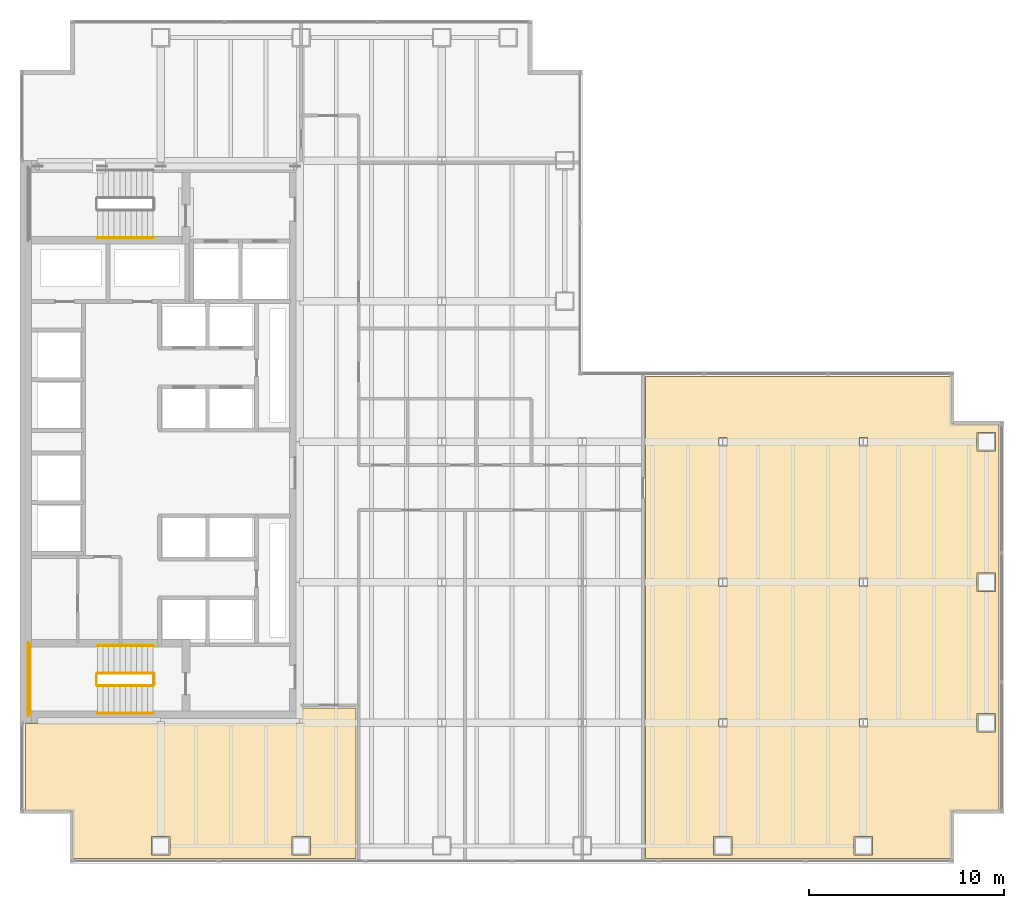
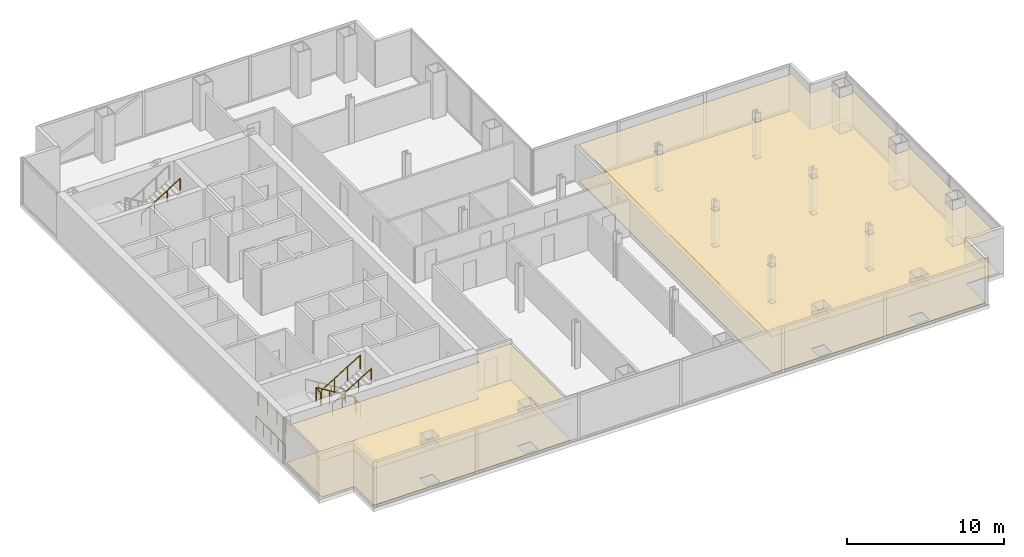
# One storey, part 23 of 24: 9 railings, 4 coverings.
"""IFC4 building model written with IfcOpenShell, lengths in metres."""

from ifc_helpers import new_model, si_unit, direction, frame, origin, origin_2d, place, context, subcontext, project, spatial, polyline, circle, outline, extrude, material, layer, layer_set, type_object, element, save


model = new_model("IFC4")

# Units and contexts
model_context = context("Model", 3, precision=1e-05, world=origin(), true_north=direction((0.0, 1.0)))
body_context = subcontext(model_context, "Body", "Model", "MODEL_VIEW")
ifc_project = project(units=[si_unit("LENGTHUNIT", "METRE"), si_unit("AREAUNIT", "SQUARE_METRE"), si_unit("VOLUMEUNIT", "CUBIC_METRE"), si_unit("PLANEANGLEUNIT", "RADIAN"), si_unit("MASSUNIT", "GRAM", prefix="KILO")], contexts=[model_context])

# Site, building, storey
site_placement = place(None, origin())
site = spatial("IfcSite", under=ifc_project, at=site_placement, CompositionType="ELEMENT")
building_placement = place(site_placement, origin())
building = spatial("IfcBuilding", under=site, at=building_placement, Name="Cobrela Telecom Tower", CompositionType="ELEMENT")
storey_placement = place(building_placement, frame((0.0, 0.0, 77.35009765625)))
storey = spatial("IfcBuildingStorey", under=building, at=storey_placement, Name="L19", CompositionType="ELEMENT", Elevation=77.35009765625)

# Coverings
ifc_material_1 = material(Name="Mineral Fibre Acoustic Ceiling Tile")
ifc_layer_1 = layer(ifc_material_1, 0.02490234375)
ifc_layer_set_1 = layer_set([ifc_layer_1], Name="Mineral Fibre Acoustic Ceiling Tile")
covering_type_1 = type_object("IfcCoveringType", Name="COV-CEIL-ACT", PredefinedType="CEILING", material=ifc_layer_set_1)
covering_1_placement = place(storey_placement, frame((0.0, 0.0, 2.849853515625)))
element("IfcCovering", 1, at=covering_1_placement, inside=storey, type_object=covering_type_1, Name="L19 Systems Engineering Studio 9 Suspended Acoustic Ceiling", PredefinedType="CEILING", context=body_context, shape_type="SweptSolid", body=[
    extrude(outline(polyline([(47.82275390625, 2.6875), (47.809326171875, 2.68408203125), (47.79638671875, 2.679443359375), (47.783935546875, 2.673583984375), (47.772216796875, 2.66650390625), (47.76123046875, 2.658203125), (47.7509765625, 2.64892578125), (47.74169921875, 2.638916015625), (47.733642578125, 2.6279296875), (47.7265625, 2.615966796875), (47.720703125, 2.603515625), (47.716064453125, 2.590576171875), (47.712646484375, 2.577392578125), (47.710693359375, 2.563720703125), (47.7099609375, 2.551025390625), (47.7099609375, 0.260009765625), (32.0400390625, 0.260009765625), (32.0400390625, 24.93994140625), (47.7099609375, 24.93994140625), (47.7099609375, 22.64892578125), (47.710693359375, 22.63623046875), (47.712646484375, 22.622802734375), (47.716064453125, 22.609375), (47.720703125, 22.596435546875), (47.7265625, 22.583984375), (47.733642578125, 22.572021484375), (47.74169921875, 22.561279296875), (47.7509765625, 22.551025390625), (47.76123046875, 22.541748046875), (47.772216796875, 22.53369140625), (47.783935546875, 22.526611328125), (47.79638671875, 22.5205078125), (47.809326171875, 22.51611328125), (47.82275390625, 22.5126953125), (47.836181640625, 22.510498046875), (47.84912109375, 22.510009765625), (50.139892578125, 22.510009765625), (50.139892578125, 2.68994140625), (47.84912109375, 2.68994140625), (47.836181640625, 2.689453125), (47.82275390625, 2.6875)]), holes=[polyline([(36.47509765625, 0.425048828125), (36.47509765625, 1.375), (35.52490234375, 1.375), (35.52490234375, 0.425048828125), (36.47509765625, 0.425048828125)]), polyline([(43.675048828125, 0.425048828125), (43.675048828125, 1.375), (42.72509765625, 1.375), (42.72509765625, 0.425048828125), (43.675048828125, 0.425048828125)]), polyline([(36.20458984375, 6.988037109375), (36.20458984375, 7.412109375), (35.79541015625, 7.412109375), (35.79541015625, 6.988037109375), (36.20458984375, 6.988037109375)]), polyline([(43.404541015625, 6.988037109375), (43.404541015625, 7.412109375), (42.99560546875, 7.412109375), (42.99560546875, 6.988037109375), (43.404541015625, 6.988037109375)]), polyline([(49.97509765625, 6.72509765625), (49.97509765625, 7.675048828125), (49.02490234375, 7.675048828125), (49.02490234375, 6.72509765625), (49.97509765625, 6.72509765625)]), polyline([(36.20458984375, 14.18798828125), (36.20458984375, 14.612060546875), (35.79541015625, 14.612060546875), (35.79541015625, 14.18798828125), (36.20458984375, 14.18798828125)]), polyline([(43.404541015625, 14.18798828125), (43.404541015625, 14.612060546875), (42.99560546875, 14.612060546875), (42.99560546875, 14.18798828125), (43.404541015625, 14.18798828125)]), polyline([(49.97509765625, 13.925048828125), (49.97509765625, 14.875), (49.02490234375, 14.875), (49.02490234375, 13.925048828125), (49.97509765625, 13.925048828125)]), polyline([(36.20458984375, 21.387939453125), (36.20458984375, 21.81201171875), (35.79541015625, 21.81201171875), (35.79541015625, 21.387939453125), (36.20458984375, 21.387939453125)]), polyline([(43.404541015625, 21.387939453125), (43.404541015625, 21.81201171875), (42.99560546875, 21.81201171875), (42.99560546875, 21.387939453125), (43.404541015625, 21.387939453125)]), polyline([(49.97509765625, 21.125), (49.97509765625, 22.074951171875), (49.02490234375, 22.074951171875), (49.02490234375, 21.125), (49.97509765625, 21.125)])]), origin(), (0.0, 0.0, 1.0), 0.025146484375),
])
covering_2_placement = place(storey_placement, frame((0.0, 0.0, 2.849853515625)))
element("IfcCovering", 2, at=covering_2_placement, inside=storey, type_object=covering_type_1, Name="L19 Staff Fitness Gym 5 Suspended Acoustic Ceiling", PredefinedType="CEILING", context=body_context, shape_type="SweptSolid", body=[
    extrude(outline(polyline([(2.68994140625, 2.551025390625), (2.689453125, 2.563720703125), (2.6875, 2.577392578125), (2.68408203125, 2.590576171875), (2.679443359375, 2.603515625), (2.673583984375, 2.615966796875), (2.66650390625, 2.6279296875), (2.658203125, 2.638916015625), (2.64892578125, 2.64892578125), (2.638916015625, 2.658203125), (2.6279296875, 2.66650390625), (2.615966796875, 2.673583984375), (2.603515625, 2.679443359375), (2.590576171875, 2.68408203125), (2.577392578125, 2.6875), (2.563720703125, 2.689453125), (2.551025390625, 2.68994140625), (0.2900390625, 2.68994140625), (0.2900390625, 7.159912109375), (14.43994140625, 7.159912109375), (14.43994140625, 7.9599609375), (17.2099609375, 7.9599609375), (17.2099609375, 0.260009765625), (2.68994140625, 0.260009765625), (2.68994140625, 2.551025390625)]), holes=[polyline([(7.675048828125, 1.375), (6.72509765625, 1.375), (6.72509765625, 0.425048828125), (7.675048828125, 0.425048828125), (7.675048828125, 1.375)]), polyline([(14.875, 0.425048828125), (14.875, 1.375), (13.925048828125, 1.375), (13.925048828125, 0.425048828125), (14.875, 0.425048828125)])]), origin(), (0.0, 0.0, 1.0), 0.025146484375),
])
ifc_material_2 = material(Name="Honed Colombian Basalt Stone", Category="masonry")
ifc_layer_2 = layer(ifc_material_2, 0.0400390625)
ifc_layer_set_2 = layer_set([ifc_layer_2], Name="Honed Colombian Basalt Stone")
covering_type_2 = type_object("IfcCoveringType", Name="COV-FLR-STONE", PredefinedType="FLOORING", material=ifc_layer_set_2)
covering_3_placement = place(storey_placement, origin())
element("IfcCovering", 3, at=covering_3_placement, inside=storey, type_object=covering_type_2, Name="L19 Systems Engineering Studio 9 Raised Technical Flooring", PredefinedType="FLOORING", context=body_context, shape_type="SweptSolid", body=[
    extrude(outline(polyline([(47.82275390625, 2.6875), (47.809326171875, 2.68408203125), (47.79638671875, 2.679443359375), (47.783935546875, 2.673583984375), (47.772216796875, 2.66650390625), (47.76123046875, 2.658203125), (47.7509765625, 2.64892578125), (47.74169921875, 2.638916015625), (47.733642578125, 2.6279296875), (47.7265625, 2.615966796875), (47.720703125, 2.603515625), (47.716064453125, 2.590576171875), (47.712646484375, 2.577392578125), (47.710693359375, 2.563720703125), (47.7099609375, 2.551025390625), (47.7099609375, 0.260009765625), (32.0400390625, 0.260009765625), (32.0400390625, 24.93994140625), (47.7099609375, 24.93994140625), (47.7099609375, 22.64892578125), (47.710693359375, 22.63623046875), (47.712646484375, 22.622802734375), (47.716064453125, 22.609375), (47.720703125, 22.596435546875), (47.7265625, 22.583984375), (47.733642578125, 22.572021484375), (47.74169921875, 22.561279296875), (47.7509765625, 22.551025390625), (47.76123046875, 22.541748046875), (47.772216796875, 22.53369140625), (47.783935546875, 22.526611328125), (47.79638671875, 22.5205078125), (47.809326171875, 22.51611328125), (47.82275390625, 22.5126953125), (47.836181640625, 22.510498046875), (47.84912109375, 22.510009765625), (50.139892578125, 22.510009765625), (50.139892578125, 2.68994140625), (47.84912109375, 2.68994140625), (47.836181640625, 2.689453125), (47.82275390625, 2.6875)]), holes=[polyline([(36.47509765625, 0.425048828125), (36.47509765625, 1.375), (35.52490234375, 1.375), (35.52490234375, 0.425048828125), (36.47509765625, 0.425048828125)]), polyline([(43.675048828125, 0.425048828125), (43.675048828125, 1.375), (42.72509765625, 1.375), (42.72509765625, 0.425048828125), (43.675048828125, 0.425048828125)]), polyline([(36.20458984375, 6.988037109375), (36.20458984375, 7.412109375), (35.79541015625, 7.412109375), (35.79541015625, 6.988037109375), (36.20458984375, 6.988037109375)]), polyline([(43.404541015625, 6.988037109375), (43.404541015625, 7.412109375), (42.99560546875, 7.412109375), (42.99560546875, 6.988037109375), (43.404541015625, 6.988037109375)]), polyline([(49.97509765625, 6.72509765625), (49.97509765625, 7.675048828125), (49.02490234375, 7.675048828125), (49.02490234375, 6.72509765625), (49.97509765625, 6.72509765625)]), polyline([(36.20458984375, 14.18798828125), (36.20458984375, 14.612060546875), (35.79541015625, 14.612060546875), (35.79541015625, 14.18798828125), (36.20458984375, 14.18798828125)]), polyline([(43.404541015625, 14.18798828125), (43.404541015625, 14.612060546875), (42.99560546875, 14.612060546875), (42.99560546875, 14.18798828125), (43.404541015625, 14.18798828125)]), polyline([(49.97509765625, 13.925048828125), (49.97509765625, 14.875), (49.02490234375, 14.875), (49.02490234375, 13.925048828125), (49.97509765625, 13.925048828125)]), polyline([(36.20458984375, 21.387939453125), (36.20458984375, 21.81201171875), (35.79541015625, 21.81201171875), (35.79541015625, 21.387939453125), (36.20458984375, 21.387939453125)]), polyline([(43.404541015625, 21.387939453125), (43.404541015625, 21.81201171875), (42.99560546875, 21.81201171875), (42.99560546875, 21.387939453125), (43.404541015625, 21.387939453125)]), polyline([(49.97509765625, 21.125), (49.97509765625, 22.074951171875), (49.02490234375, 22.074951171875), (49.02490234375, 21.125), (49.97509765625, 21.125)])]), origin(), (0.0, 0.0, 1.0), 0.039794921875),
])
covering_4_placement = place(storey_placement, origin())
element("IfcCovering", 4, at=covering_4_placement, inside=storey, type_object=covering_type_2, Name="L19 Staff Fitness Gym 5 Raised Technical Flooring", PredefinedType="FLOORING", context=body_context, shape_type="SweptSolid", body=[
    extrude(outline(polyline([(2.68994140625, 2.551025390625), (2.689453125, 2.563720703125), (2.6875, 2.577392578125), (2.68408203125, 2.590576171875), (2.679443359375, 2.603515625), (2.673583984375, 2.615966796875), (2.66650390625, 2.6279296875), (2.658203125, 2.638916015625), (2.64892578125, 2.64892578125), (2.638916015625, 2.658203125), (2.6279296875, 2.66650390625), (2.615966796875, 2.673583984375), (2.603515625, 2.679443359375), (2.590576171875, 2.68408203125), (2.577392578125, 2.6875), (2.563720703125, 2.689453125), (2.551025390625, 2.68994140625), (0.2900390625, 2.68994140625), (0.2900390625, 7.159912109375), (14.43994140625, 7.159912109375), (14.43994140625, 7.9599609375), (17.2099609375, 7.9599609375), (17.2099609375, 0.260009765625), (2.68994140625, 0.260009765625), (2.68994140625, 2.551025390625)]), holes=[polyline([(7.675048828125, 1.375), (6.72509765625, 1.375), (6.72509765625, 0.425048828125), (7.675048828125, 0.425048828125), (7.675048828125, 1.375)]), polyline([(14.875, 0.425048828125), (14.875, 1.375), (13.925048828125, 1.375), (13.925048828125, 0.425048828125), (14.875, 0.425048828125)])]), origin(), (0.0, 0.0, 1.0), 0.039794921875),
])

# Railings
ifc_material_3 = material(Name="Steel ASTM A36", Category="steel")
railing_type_1 = type_object("IfcRailingType", Name="RAIL-GUARD-1100", PredefinedType="GUARDRAIL", material=ifc_material_3)
railing_1_placement = place(storey_placement, frame((6.820068359375, 9.75, 0.1748046875)))
element("IfcRailing", 5, at=railing_1_placement, inside=storey, type_object=railing_type_1, Name="L19 ST2 stair guard 1", PredefinedType="GUARDRAIL", context=body_context, shape_type="SweptSolid", body=[
    extrude(circle(Radius=0.02392578125, at=origin_2d()), frame((0.0, 0.0, 1.076171875), z_axis=(-0.852179220489, 0.0, 0.52325001306), x_axis=(0.0, -1.0, 0.0)), (0.0, 0.0, 1.0), 3.344482421875),
    extrude(circle(Radius=0.02099609375, at=origin_2d()), origin(), (0.0, 0.0, 1.0), 1.052001953125),
    extrude(circle(Radius=0.02099609375, at=origin_2d()), frame((-0.949951171875, 0.0, 0.583251953125)), (0.0, 0.0, 1.0), 1.052001953125),
    extrude(circle(Radius=0.02099609375, at=origin_2d()), frame((-1.900146484375, 0.0, 1.166748046875)), (0.0, 0.0, 1.0), 1.052001953125),
    extrude(circle(Radius=0.02099609375, at=origin_2d()), frame((-2.85009765625, 0.0, 1.75)), (0.0, 0.0, 1.0), 1.052001953125),
])
railing_2_placement = place(storey_placement, frame((3.919921875, 9.699951171875, 1.9248046875)))
element("IfcRailing", 6, at=railing_2_placement, inside=storey, type_object=railing_type_1, Name="L19 ST2 stair guard 2", PredefinedType="GUARDRAIL", context=body_context, shape_type="SweptSolid", body=[
    extrude(circle(Radius=0.02392578125, at=origin_2d()), frame((0.0, 0.0, 1.076171875), z_axis=(0.0, -1.0, 0.0), x_axis=(1.0, 0.0, 0.0)), (0.0, 0.0, 1.0), 0.550048828125),
    extrude(circle(Radius=0.02099609375, at=origin_2d()), origin(), (0.0, 0.0, 1.0), 1.052001953125),
    extrude(circle(Radius=0.02099609375, at=origin_2d()), frame((0.0, -0.550048828125, 0.0)), (0.0, 0.0, 1.0), 1.052001953125),
])
railing_3_placement = place(storey_placement, frame((0.530029296875, 11.199951171875, 1.9248046875)))
element("IfcRailing", 7, at=railing_3_placement, inside=storey, type_object=railing_type_1, Name="L19 ST2 stair guard 3", PredefinedType="GUARDRAIL", context=body_context, shape_type="SweptSolid", body=[
    extrude(circle(Radius=0.02392578125, at=origin_2d()), frame((0.0, 0.0, 1.076171875), z_axis=(0.0, -1.0, 0.0), x_axis=(1.0, 0.0, 0.0)), (0.0, 0.0, 1.0), 3.550048828125),
    extrude(circle(Radius=0.02099609375, at=origin_2d()), origin(), (0.0, 0.0, 1.0), 1.052001953125),
    extrude(circle(Radius=0.02099609375, at=origin_2d()), frame((0.0, -1.183349609375, 0.0)), (0.0, 0.0, 1.0), 1.052001953125),
    extrude(circle(Radius=0.02099609375, at=origin_2d()), frame((0.0, -2.36669921875, 0.0)), (0.0, 0.0, 1.0), 1.052001953125),
    extrude(circle(Radius=0.02099609375, at=origin_2d()), frame((0.0, -3.550048828125, 0.0)), (0.0, 0.0, 1.0), 1.052001953125),
])
railing_4_placement = place(storey_placement, frame((3.969970703125, 9.10009765625, 2.099853515625)))
element("IfcRailing", 8, at=railing_4_placement, inside=storey, type_object=railing_type_1, Name="L19 ST2 stair guard 4", PredefinedType="GUARDRAIL", context=body_context, shape_type="SweptSolid", body=[
    extrude(circle(Radius=0.02392578125, at=origin_2d()), frame((0.0, 0.0, 1.076171875), z_axis=(0.852179220489, 0.0, 0.52325001306), x_axis=(0.0, 1.0, 0.0)), (0.0, 0.0, 1.0), 3.344482421875),
    extrude(circle(Radius=0.02099609375, at=origin_2d()), origin(), (0.0, 0.0, 1.0), 1.052001953125),
    extrude(circle(Radius=0.02099609375, at=origin_2d()), frame((0.949951171875, 0.0, 0.583251953125)), (0.0, 0.0, 1.0), 1.052001953125),
    extrude(circle(Radius=0.02099609375, at=origin_2d()), frame((1.900146484375, 0.0, 1.166748046875)), (0.0, 0.0, 1.0), 1.052001953125),
    extrude(circle(Radius=0.02099609375, at=origin_2d()), frame((2.85009765625, 0.0, 1.75)), (0.0, 0.0, 1.0), 1.052001953125),
])
railing_5_placement = place(storey_placement, frame((6.8701171875, 9.699951171875, 0.0)))
element("IfcRailing", 9, at=railing_5_placement, inside=storey, type_object=railing_type_1, Name="L19 ST2 stair guard 5", PredefinedType="GUARDRAIL", context=body_context, shape_type="SweptSolid", body=[
    extrude(circle(Radius=0.02392578125, at=origin_2d()), frame((0.0, 0.0, 1.076171875), z_axis=(0.0, -1.0, 0.0), x_axis=(1.0, 0.0, 0.0)), (0.0, 0.0, 1.0), 0.550048828125),
    extrude(circle(Radius=0.02099609375, at=origin_2d()), origin(), (0.0, 0.0, 1.0), 1.052001953125),
    extrude(circle(Radius=0.02099609375, at=origin_2d()), frame((0.0, -0.550048828125, 0.0)), (0.0, 0.0, 1.0), 1.052001953125),
])
railing_6_placement = place(storey_placement, frame((0.429931640625, 11.300048828125, 0.0)))
element("IfcRailing", 10, at=railing_6_placement, inside=storey, type_object=railing_type_1, Name="L19 ST2 stair guard 6", PredefinedType="GUARDRAIL", context=body_context, shape_type="SweptSolid", body=[
    extrude(circle(Radius=0.02392578125, at=origin_2d()), frame((0.0, 0.0, 1.076171875), z_axis=(0.0, -1.0, 0.0), x_axis=(1.0, 0.0, 0.0)), (0.0, 0.0, 1.0), 3.75),
    extrude(circle(Radius=0.02099609375, at=origin_2d()), origin(), (0.0, 0.0, 1.0), 1.052001953125),
    extrude(circle(Radius=0.02099609375, at=origin_2d()), frame((0.0, -0.9375, 0.0)), (0.0, 0.0, 1.0), 1.052001953125),
    extrude(circle(Radius=0.02099609375, at=origin_2d()), frame((0.0, -1.875, 0.0)), (0.0, 0.0, 1.0), 1.052001953125),
    extrude(circle(Radius=0.02099609375, at=origin_2d()), frame((0.0, -2.8125, 0.0)), (0.0, 0.0, 1.0), 1.052001953125),
    extrude(circle(Radius=0.02099609375, at=origin_2d()), frame((0.0, -3.75, 0.0)), (0.0, 0.0, 1.0), 1.052001953125),
])
railing_type_2 = type_object("IfcRailingType", Name="RAIL-HAND-920", PredefinedType="HANDRAIL", material=ifc_material_3)
railing_7_placement = place(storey_placement, frame((3.969970703125, 32.050048828125, 2.099853515625)))
element("IfcRailing", 11, at=railing_7_placement, inside=storey, type_object=railing_type_2, Name="L19 ST1 stair handrail 2", PredefinedType="HANDRAIL", context=body_context, shape_type="SweptSolid", body=[
    extrude(circle(Radius=0.02392578125, at=origin_2d()), frame((0.0, 0.0, 0.8759765625), z_axis=(0.852179220489, 0.0, 0.52325001306), x_axis=(0.0, 1.0, 0.0)), (0.0, 0.0, 1.0), 3.344482421875),
    extrude(circle(Radius=0.02099609375, at=origin_2d()), origin(), (0.0, 0.0, 1.0), 0.851806640625),
    extrude(circle(Radius=0.02099609375, at=origin_2d()), frame((0.949951171875, 0.0, 0.583251953125)), (0.0, 0.0, 1.0), 0.851806640625),
    extrude(circle(Radius=0.02099609375, at=origin_2d()), frame((1.900146484375, 0.0, 1.166748046875)), (0.0, 0.0, 1.0), 0.851806640625),
    extrude(circle(Radius=0.02099609375, at=origin_2d()), frame((2.85009765625, 0.0, 1.75)), (0.0, 0.0, 1.0), 0.851806640625),
])
railing_8_placement = place(storey_placement, frame((6.820068359375, 11.14990234375, 0.1748046875)))
element("IfcRailing", 12, at=railing_8_placement, inside=storey, type_object=railing_type_2, Name="L19 ST2 stair handrail 1", PredefinedType="HANDRAIL", context=body_context, shape_type="SweptSolid", body=[
    extrude(circle(Radius=0.02392578125, at=origin_2d()), frame((0.0, 0.0, 0.8759765625), z_axis=(-0.852179220489, 0.0, 0.52325001306), x_axis=(0.0, -1.0, 0.0)), (0.0, 0.0, 1.0), 3.344482421875),
    extrude(circle(Radius=0.02099609375, at=origin_2d()), origin(), (0.0, 0.0, 1.0), 0.851806640625),
    extrude(circle(Radius=0.02099609375, at=origin_2d()), frame((-0.949951171875, 0.0, 0.583251953125)), (0.0, 0.0, 1.0), 0.851806640625),
    extrude(circle(Radius=0.02099609375, at=origin_2d()), frame((-1.900146484375, 0.0, 1.166748046875)), (0.0, 0.0, 1.0), 0.851806640625),
    extrude(circle(Radius=0.02099609375, at=origin_2d()), frame((-2.85009765625, 0.0, 1.75)), (0.0, 0.0, 1.0), 0.851806640625),
])
railing_9_placement = place(storey_placement, frame((3.969970703125, 7.699951171875, 2.099853515625)))
element("IfcRailing", 13, at=railing_9_placement, inside=storey, type_object=railing_type_2, Name="L19 ST2 stair handrail 2", PredefinedType="HANDRAIL", context=body_context, shape_type="SweptSolid", body=[
    extrude(circle(Radius=0.02392578125, at=origin_2d()), frame((0.0, 0.0, 0.8759765625), z_axis=(0.852179220489, 0.0, 0.52325001306), x_axis=(0.0, 1.0, 0.0)), (0.0, 0.0, 1.0), 3.344482421875),
    extrude(circle(Radius=0.02099609375, at=origin_2d()), origin(), (0.0, 0.0, 1.0), 0.851806640625),
    extrude(circle(Radius=0.02099609375, at=origin_2d()), frame((0.949951171875, 0.0, 0.583251953125)), (0.0, 0.0, 1.0), 0.851806640625),
    extrude(circle(Radius=0.02099609375, at=origin_2d()), frame((1.900146484375, 0.0, 1.166748046875)), (0.0, 0.0, 1.0), 0.851806640625),
    extrude(circle(Radius=0.02099609375, at=origin_2d()), frame((2.85009765625, 0.0, 1.75)), (0.0, 0.0, 1.0), 0.851806640625),
])

save(model, "model.ifc")
